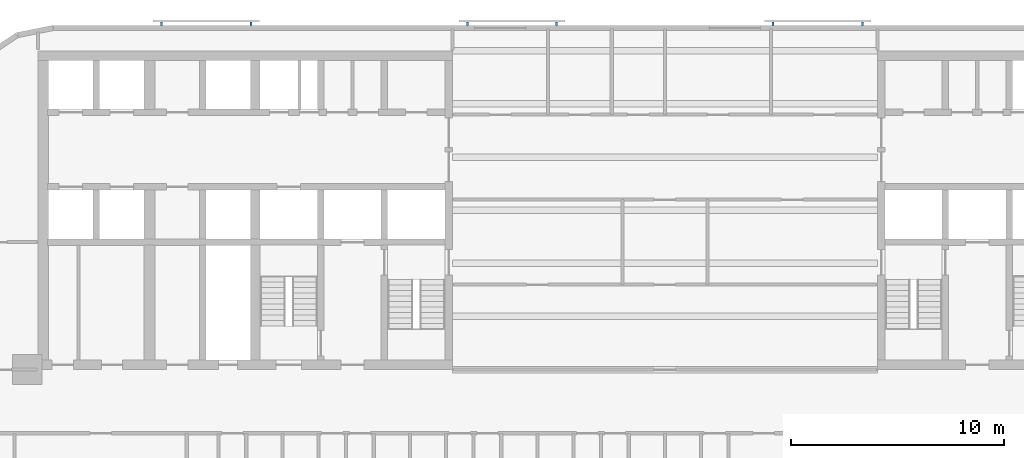
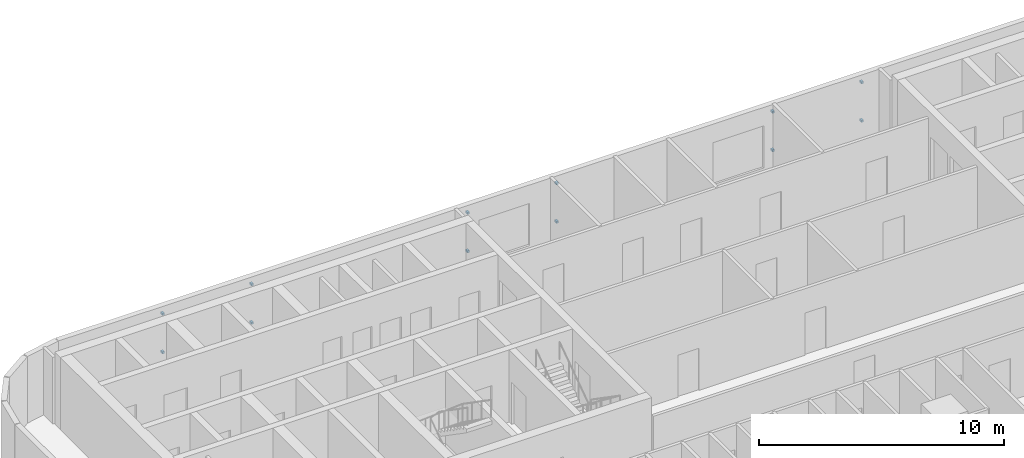
# One storey, part 10 of 14: 12 discrete accessories.
"""IFC4 building model written with IfcOpenShell, lengths in metres."""

from ifc_helpers import new_model, si_unit, direction, frame, origin, origin_2d, place, context, subcontext, project, spatial, rectangle, extrude, material, type_object, element, save


model = new_model("IFC4")

# Units and contexts
model_context = context("Model", 3, precision=1e-05, world=origin(), true_north=direction((0.0, 1.0)))
body_context = subcontext(model_context, "Body", "Model", "MODEL_VIEW")
ifc_project = project(units=[si_unit("LENGTHUNIT", "METRE"), si_unit("AREAUNIT", "SQUARE_METRE"), si_unit("VOLUMEUNIT", "CUBIC_METRE"), si_unit("PLANEANGLEUNIT", "RADIAN"), si_unit("MASSUNIT", "GRAM", prefix="KILO")], contexts=[model_context])

# Site, building, storey
site_placement = place(None, origin())
site = spatial("IfcSite", under=ifc_project, at=site_placement, CompositionType="ELEMENT")
building_placement = place(site_placement, origin())
building = spatial("IfcBuilding", under=site, at=building_placement, Name="Torana Hotel and Residences", CompositionType="ELEMENT")
storey_placement = place(building_placement, frame((0.0, 0.0, 38.39990234375)))
storey = spatial("IfcBuildingStorey", under=building, at=storey_placement, Name="L08", CompositionType="ELEMENT", Elevation=38.39990234375)

# Discrete accessories
ifc_material = material(Name="Steel S355", Category="steel")
discrete_accessory_type = type_object("IfcDiscreteAccessoryType", Name="SCREEN BRACKET 100", PredefinedType="BRACKET", material=ifc_material)
for number, where, z_axis, x_axis, name in (
    (1, (9.293701171875, 1.27490234375, 0.75), (0.0, 0.0, 1.0), (-1.0, 0.0, 0.0), "Screen bracket L08"),
    (2, (9.293701171875, 1.27490234375, 2.670166015625), (0.0, 0.0, 1.0), (-1.0, 0.0, 0.0), "Screen bracket L08"),
    (3, (5.09375, 1.27490234375, 0.75), (0.0, 0.0, 1.0), (-1.0, 0.0, 0.0), "Screen bracket L08"),
    (4, (5.09375, 1.27490234375, 2.670166015625), (0.0, 0.0, 1.0), (-1.0, 0.0, 0.0), "Screen bracket L08"),
    (5, (-5.09375, 1.27490234375, 0.75), (0.0, 0.0, 1.0), (-1.0, 0.0, 0.0), "Screen bracket L08"),
    (6, (-5.09375, 1.27490234375, 2.670166015625), (0.0, 0.0, 1.0), (-1.0, 0.0, 0.0), "Screen bracket L08"),
    (7, (-9.293701171875, 1.27490234375, 0.75), (0.0, 0.0, 1.0), (-1.0, 0.0, 0.0), "Screen bracket L08"),
    (8, (-9.293701171875, 1.27490234375, 2.670166015625), (0.0, 0.0, 1.0), (-1.0, 0.0, 0.0), "Screen bracket L08"),
    (9, (-19.4814453125, 1.27490234375, 0.75), (0.0, 0.0, 1.0), (-1.0, 0.0, 0.0), "Screen bracket L08"),
    (10, (-19.4814453125, 1.27490234375, 2.670166015625), (0.0, 0.0, 1.0), (-1.0, 0.0, 0.0), "Screen bracket L08"),
    (11, (-23.681396484375, 1.27490234375, 0.75), (0.0, 0.0, 1.0), (-1.0, 0.0, 0.0), "Screen bracket L08"),
    (12, (-23.681396484375, 1.27490234375, 2.670166015625), (0.0, 0.0, 1.0), (-1.0, 0.0, 0.0), "Screen bracket L08"),
):
    element("IfcDiscreteAccessory", number, at=place(storey_placement, frame(where, z_axis=z_axis, x_axis=x_axis)), inside=storey, type_object=discrete_accessory_type, Name=name, PredefinedType="BRACKET", context=body_context, shape_type="SweptSolid", body=[
        extrude(rectangle(XDim=0.10009765625, YDim=0.14990234375, at=origin_2d()), origin(), (0.0, 0.0, 1.0), 0.10009765625),
    ])

save(model, "model.ifc")
